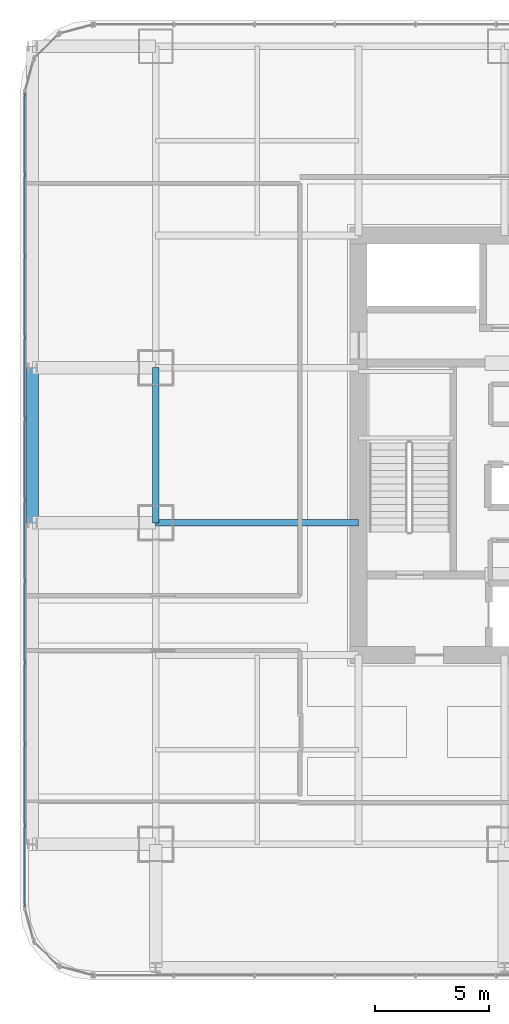
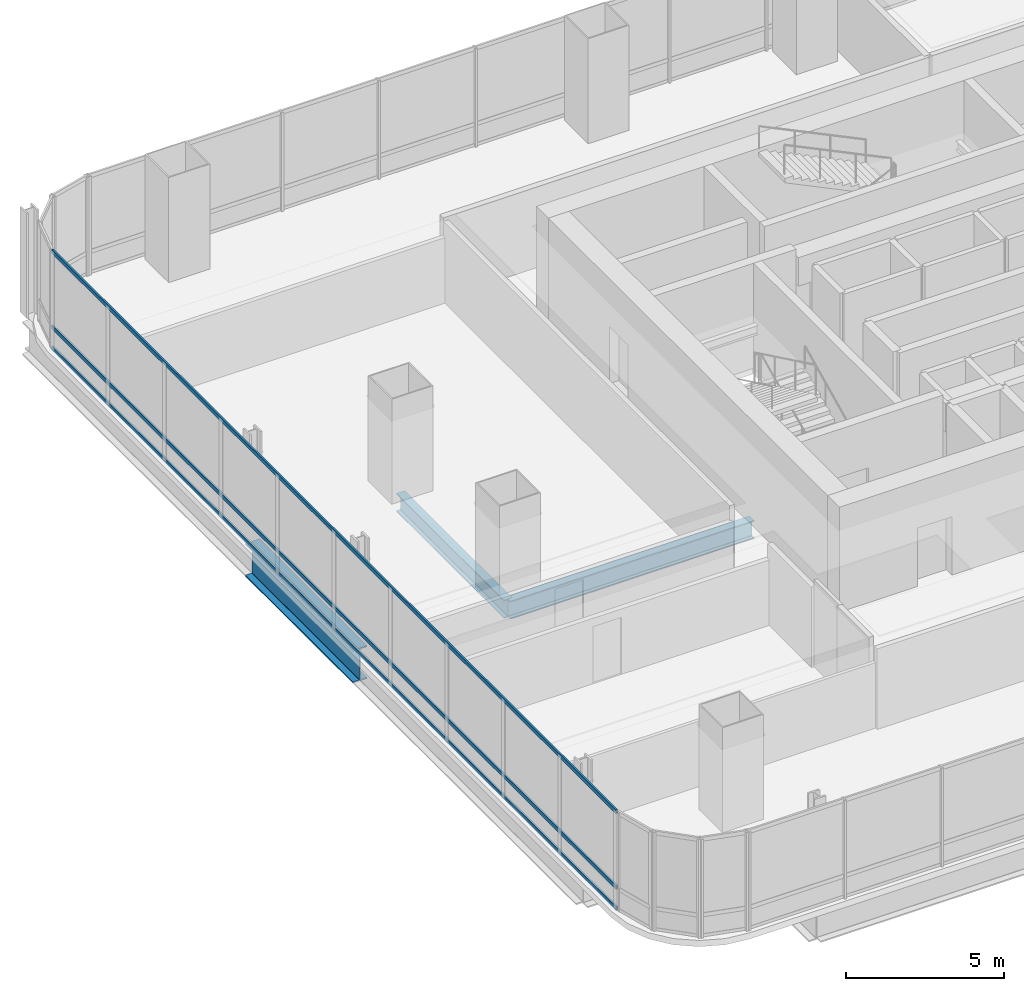
# One storey, part 10 of 35: 3 beams, 3 members, 1 element without a shape of its own.
"""IFC4 building model written with IfcOpenShell, lengths in metres."""

from ifc_helpers import new_model, si_unit, direction, frame, origin, origin_2d, place, context, subcontext, project, spatial, hollow_rectangle, i_section, extrude, material, material_profile, profile_set, type_object, element, aggregate, save


model = new_model("IFC4")

# Units and contexts
model_context = context("Model", 3, precision=1e-05, world=origin(), true_north=direction((0.0, 1.0)))
body_context = subcontext(model_context, "Body", "Model", "MODEL_VIEW")
ifc_project = project(units=[si_unit("LENGTHUNIT", "METRE"), si_unit("AREAUNIT", "SQUARE_METRE"), si_unit("VOLUMEUNIT", "CUBIC_METRE"), si_unit("PLANEANGLEUNIT", "RADIAN"), si_unit("MASSUNIT", "GRAM", prefix="KILO")], contexts=[model_context])

# Site, building, storey
site_placement = place(None, origin())
site = spatial("IfcSite", under=ifc_project, at=site_placement, CompositionType="ELEMENT")
building_placement = place(site_placement, origin())
building = spatial("IfcBuilding", under=site, at=building_placement, Name="Punatoya Terracotta Tower", CompositionType="ELEMENT")
storey_placement = place(building_placement, frame((0.0, 0.0, 52.5)))
storey = spatial("IfcBuildingStorey", under=building, at=storey_placement, Name="L11", CompositionType="ELEMENT", Elevation=52.5)

# Beams
ifc_material_1 = material(Name="Steel S355", Category="steel")
ifc_material_profile_1 = material_profile(ifc_material_1, i_section(OverallWidth=0.300048828125, OverallDepth=0.699951171875, WebThickness=0.01708984375, FlangeThickness=0.031982421875, FilletRadius=0.01806640625, at=origin_2d()))
ifc_profile_set_1 = profile_set([ifc_material_profile_1], Name="Steel S355")
beam_type_1 = type_object("IfcBeamType", Name="BM-PRI-700", PredefinedType="BEAM", material=ifc_profile_set_1)
beam_1_placement = place(storey_placement, frame((-19.10009765625, -3.39990234375, -0.590087890625), z_axis=(0.0, 1.0, 0.0), x_axis=(-1.0, 0.0, 0.0)))
element("IfcBeam", 1, at=beam_1_placement, inside=storey, type_object=beam_type_1, Name="BM-L11-RG-W2", PredefinedType="BEAM", context=body_context, shape_type="SweptSolid", body=[
    extrude(i_section(OverallWidth=0.300048828125, OverallDepth=0.699951171875, WebThickness=0.01708984375, FlangeThickness=0.031982421875, FilletRadius=0.01806640625, at=origin_2d()), origin(), (0.0, 0.0, 1.0), 6.7998046875),
])
beam_2_placement = place(storey_placement, frame((-19.10009765625, -3.39990234375, -0.590087890625), z_axis=(1.0, 0.0, 0.0), x_axis=(0.0, 1.0, 0.0)))
element("IfcBeam", 2, at=beam_2_placement, inside=storey, type_object=beam_type_1, Name="BM-L11-PR-WD", PredefinedType="BEAM", context=body_context, shape_type="SweptSolid", body=[
    extrude(i_section(OverallWidth=0.300048828125, OverallDepth=0.699951171875, WebThickness=0.01708984375, FlangeThickness=0.031982421875, FilletRadius=0.01806640625, at=origin_2d()), origin(), (0.0, 0.0, 1.0), 8.900146484375),
])
ifc_material_2 = material(Name="Steel S460", Category="steel")
ifc_material_profile_2 = material_profile(ifc_material_2, i_section(OverallWidth=0.52001953125, OverallDepth=1.280029296875, WebThickness=0.031982421875, FlangeThickness=0.050048828125, FilletRadius=0.01806640625, at=origin_2d()))
ifc_profile_set_2 = profile_set([ifc_material_profile_2], Name="Steel S460")
beam_type_2 = type_object("IfcBeamType", Name="BM-TG-NCK", PredefinedType="BEAM", material=ifc_profile_set_2)
beam_3_placement = place(storey_placement, frame((-24.5, -3.39990234375, -0.8798828125), z_axis=(0.0, 1.0, 0.0), x_axis=(-1.0, 0.0, 0.0)))
element("IfcBeam", 3, at=beam_3_placement, inside=storey, type_object=beam_type_2, Name="BM-L11-PER-W2", PredefinedType="BEAM", context=body_context, shape_type="SweptSolid", body=[
    extrude(i_section(OverallWidth=0.52001953125, OverallDepth=1.280029296875, WebThickness=0.031982421875, FlangeThickness=0.050048828125, FilletRadius=0.01806640625, at=origin_2d()), origin(), (0.0, 0.0, 1.0), 6.7998046875),
])

# Curtain wall, members
ifc_material_3 = material(Name="Aluminium 6063-T6 + Double Low-E Glass", Category="aluminium")
curtain_wall_type = type_object("IfcCurtainWallType", Name="CW-M1", PredefinedType="NOTDEFINED", material=ifc_material_3)
curtain_wall_placement = place(storey_placement, origin())
curtain_wall = element("IfcCurtainWall", 4, at=curtain_wall_placement, inside=storey, type_object=curtain_wall_type, Name="L11 Curtain Wall CW-L11-W13-1", PredefinedType="NOTDEFINED")
ifc_material_4 = material(Name="Aluminium 6063-T6", Category="aluminium")
ifc_material_profile_3 = material_profile(ifc_material_4, hollow_rectangle(XDim=0.068115234375, YDim=0.14990234375, WallThickness=0.00390625, at=origin_2d()))
ifc_profile_set_3 = profile_set([ifc_material_profile_3], Name="Aluminium 6063-T6")
member_type = type_object("IfcMemberType", Name="CW-TRN-TYP", PredefinedType="USERDEFINED", material=ifc_profile_set_3)
member_1_placement = place(storey_placement, frame((-24.85009765625, 15.43701171875, 0.0400390625), z_axis=(0.0, -1.0, 0.0), x_axis=(1.0, 0.0, 0.0)))
member_1 = element("IfcMember", 5, at=member_1_placement, type_object=member_type, Name="CW-L11-W13-1 Transom 1", ObjectType="TRANSOM", PredefinedType="USERDEFINED", context=body_context, shape_type="SweptSolid", body=[
    extrude(hollow_rectangle(XDim=0.068115234375, YDim=0.14990234375, WallThickness=0.00390625, at=origin_2d()), origin(), (0.0, 0.0, 1.0), 35.673828125),
])
member_2_placement = place(storey_placement, frame((-24.85009765625, 15.43701171875, 0.85009765625), z_axis=(0.0, -1.0, 0.0), x_axis=(1.0, 0.0, 0.0)))
member_2 = element("IfcMember", 6, at=member_2_placement, type_object=member_type, Name="CW-L11-W13-1 Transom 2", ObjectType="TRANSOM", PredefinedType="USERDEFINED", context=body_context, shape_type="SweptSolid", body=[
    extrude(hollow_rectangle(XDim=0.068115234375, YDim=0.14990234375, WallThickness=0.00390625, at=origin_2d()), origin(), (0.0, 0.0, 1.0), 35.673828125),
])
member_3_placement = place(storey_placement, frame((-24.85009765625, 15.43701171875, 3.77001953125), z_axis=(0.0, -1.0, 0.0), x_axis=(1.0, 0.0, 0.0)))
member_3 = element("IfcMember", 7, at=member_3_placement, type_object=member_type, Name="CW-L11-W13-1 Transom 3", ObjectType="TRANSOM", PredefinedType="USERDEFINED", context=body_context, shape_type="SweptSolid", body=[
    extrude(hollow_rectangle(XDim=0.068115234375, YDim=0.14990234375, WallThickness=0.00390625, at=origin_2d()), origin(), (0.0, 0.0, 1.0), 35.673828125),
])
aggregate(curtain_wall, [member_1, member_2, member_3])

save(model, "model.ifc")
